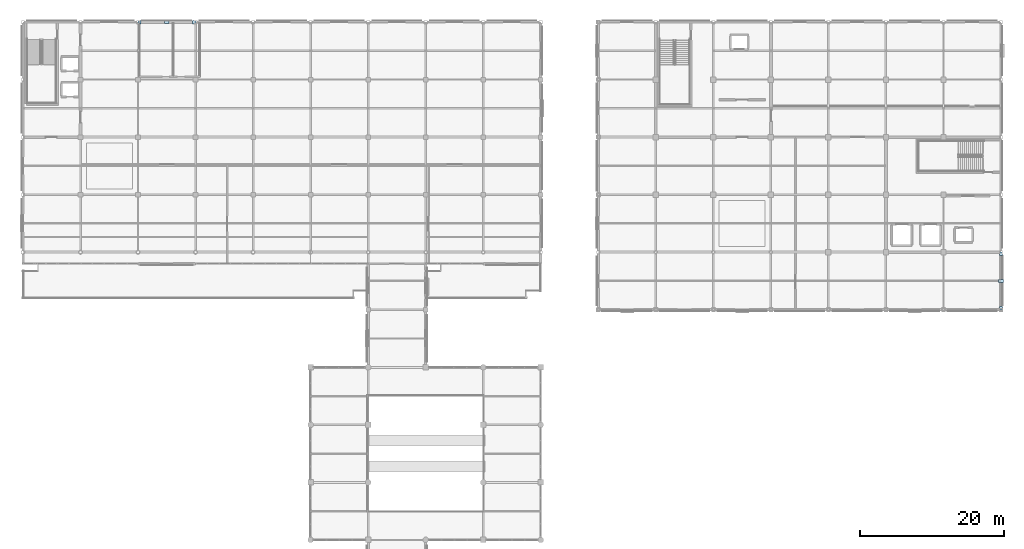
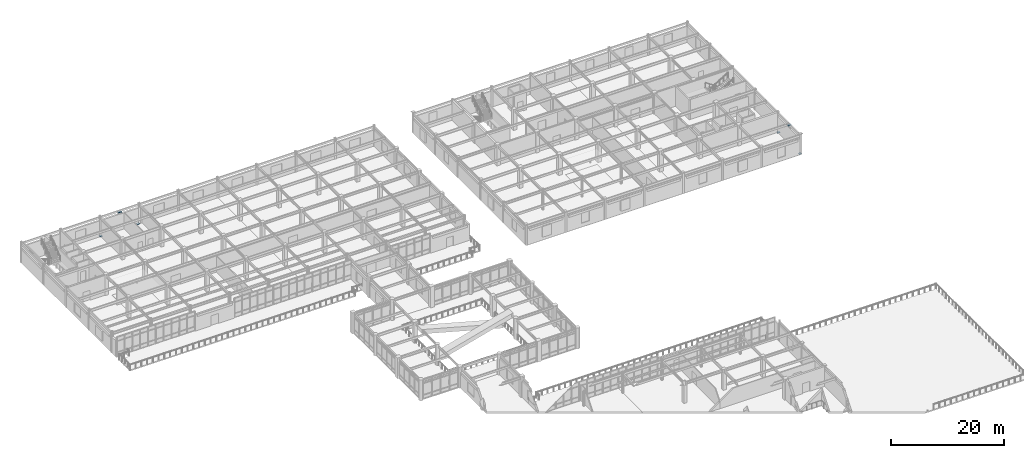
# One storey, part 57 of 93: 6 plates.
"""IFC4 building model written with IfcOpenShell, lengths in metres."""

from ifc_helpers import new_model, si_unit, direction, frame, origin, origin_2d, place, context, subcontext, project, spatial, rectangle, extrude, material, layer, layer_set, type_object, element, save


model = new_model("IFC4")

# Units and contexts
model_context = context("Model", 3, precision=1e-05, world=origin(), true_north=direction((0.0, 1.0)))
body_context = subcontext(model_context, "Body", "Model", "MODEL_VIEW")
ifc_project = project(units=[si_unit("LENGTHUNIT", "METRE"), si_unit("AREAUNIT", "SQUARE_METRE"), si_unit("VOLUMEUNIT", "CUBIC_METRE"), si_unit("PLANEANGLEUNIT", "RADIAN"), si_unit("MASSUNIT", "GRAM", prefix="KILO")], contexts=[model_context])

# Site, building, storey
site_placement = place(None, origin())
site = spatial("IfcSite", under=ifc_project, at=site_placement, CompositionType="ELEMENT")
building_placement = place(site_placement, origin())
building = spatial("IfcBuilding", under=site, at=building_placement, Name="Solmirada Galleria", CompositionType="ELEMENT")
storey_placement = place(building_placement, frame((0.0, 0.0, 14.89990234375)))
storey = spatial("IfcBuildingStorey", under=building, at=storey_placement, Name="L03", CompositionType="ELEMENT", Elevation=14.89990234375)

# Plates
ifc_material = material(Name="Steel S355 / ASTM A572 Grade 50", Category="steel")
ifc_layer_1 = layer(ifc_material, 0.028076171875)
ifc_layer_set_1 = layer_set([ifc_layer_1], Name="Steel S355 / ASTM A572 Grade 50")
plate_type_1 = type_object("IfcPlateType", Name="PLT-NODE-02", PredefinedType="SHEET", material=ifc_layer_set_1)
for number, where, z_axis, x_axis, name in (
    (1, (56.202880859375, 120.0, 0.005859375), (0.0, 0.0, 1.0), (1.0, 0.0, 0.0), "Braced frame gusset plate CBF-N1 L03 LA"),
    (2, (63.797119140625, 120.0, 0.005859375), (0.0, 0.0, 1.0), (1.0, 0.0, 0.0), "Braced frame gusset plate CBF-N1 L03 RA"),
    (3, (176.0, 80.177978515625, 0.005859375), (0.0, 0.0, 1.0), (1.0, 0.0, 0.0), "Braced frame gusset plate CBF-E1 L03 LA"),
    (4, (176.0, 87.797119140625, 0.005859375), (0.0, 0.0, 1.0), (1.0, 0.0, 0.0), "Braced frame gusset plate CBF-E1 L03 RA"),
):
    element("IfcPlate", number, at=place(storey_placement, frame(where, z_axis=z_axis, x_axis=x_axis)), inside=storey, type_object=plate_type_1, Name=name, PredefinedType="SHEET", context=body_context, shape_type="SweptSolid", body=[
        extrude(rectangle(XDim=0.47998046875, YDim=0.47998046875, at=origin_2d()), origin(), (0.0, 0.0, 1.0), 0.028076171875),
    ])
ifc_layer_2 = layer(ifc_material, 0.035888671875)
ifc_layer_set_2 = layer_set([ifc_layer_2], Name="Steel S355 / ASTM A572 Grade 50")
plate_type_2 = type_object("IfcPlateType", Name="PLT-NODE-04", PredefinedType="SHEET", material=ifc_layer_set_2)
for number, where, z_axis, x_axis, name in (
    (5, (60.0, 120.0, 3.8623046875), (0.0, 0.0, 1.0), (1.0, 0.0, 0.0), "Braced frame gusset plate CBF-N1 L03 AP"),
    (6, (176.0, 84.0, 3.8623046875), (0.0, 0.0, 1.0), (1.0, 0.0, 0.0), "Braced frame gusset plate CBF-E1 L03 AP"),
):
    element("IfcPlate", number, at=place(storey_placement, frame(where, z_axis=z_axis, x_axis=x_axis)), inside=storey, type_object=plate_type_2, Name=name, PredefinedType="SHEET", context=body_context, shape_type="SweptSolid", body=[
        extrude(rectangle(XDim=0.64990234375, YDim=0.449951171875, at=origin_2d()), origin(), (0.0, 0.0, 1.0), 0.035888671875),
    ])

save(model, "model.ifc")
